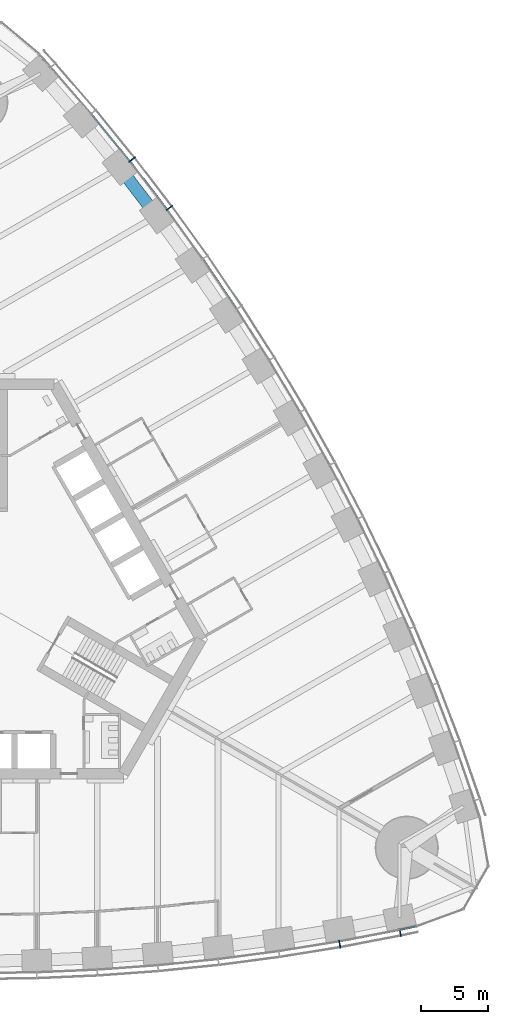
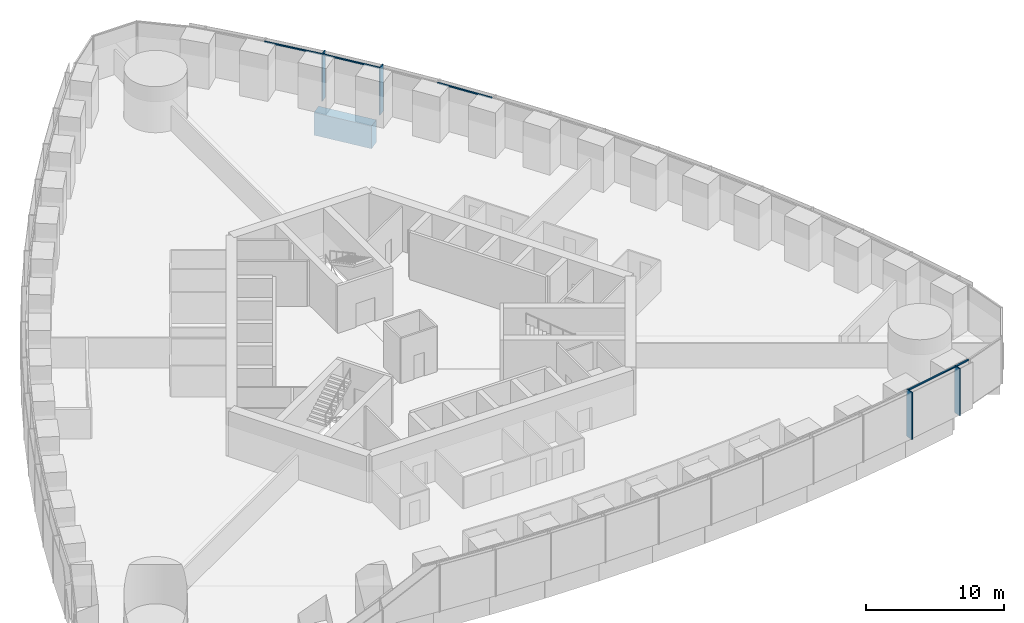
# One storey, part 5 of 18: 9 members, 1 beam, 2 elements without a shape of their own.
"""IFC4 building model written with IfcOpenShell, lengths in metres."""

from ifc_helpers import new_model, si_unit, direction, frame, origin, origin_2d, place, context, subcontext, project, spatial, rectangle, extrude, material, material_profile, profile_set, type_object, element, aggregate, save


model = new_model("IFC4")

# Units and contexts
model_context = context("Model", 3, precision=1e-05, world=origin(), true_north=direction((0.0, 1.0)))
body_context = subcontext(model_context, "Body", "Model", "MODEL_VIEW")
ifc_project = project(units=[si_unit("LENGTHUNIT", "METRE"), si_unit("AREAUNIT", "SQUARE_METRE"), si_unit("VOLUMEUNIT", "CUBIC_METRE"), si_unit("PLANEANGLEUNIT", "RADIAN"), si_unit("MASSUNIT", "GRAM", prefix="KILO")], contexts=[model_context])

# Site, building, storey
site_placement = place(None, origin())
site = spatial("IfcSite", under=ifc_project, at=site_placement, CompositionType="ELEMENT")
building_placement = place(site_placement, origin())
building = spatial("IfcBuilding", under=site, at=building_placement, Name="Trefoil Bronze Tower", CompositionType="ELEMENT")
storey_placement = place(building_placement, frame((0.0, 0.0, 71.10009765625)))
storey = spatial("IfcBuildingStorey", under=building, at=storey_placement, Name="L16", CompositionType="ELEMENT", Elevation=71.10009765625)

# Curtain wall, members
ifc_material_1 = material(Name="Tinted solar-control glass", Category="glass")
curtain_wall_type = type_object("IfcCurtainWallType", Name="Bronze office curtain wall", PredefinedType="USERDEFINED", material=ifc_material_1)
curtain_wall_1_placement = place(storey_placement, origin())
curtain_wall_1 = element("IfcCurtainWall", 1, at=curtain_wall_1_placement, inside=storey, type_object=curtain_wall_type, Name="CW-A L16 F1", ObjectType="CURTAIN WALL", PredefinedType="USERDEFINED")
ifc_material_2 = material(Name="Bronze-finish aluminium", Category="aluminium")
ifc_material_profile_1 = material_profile(ifc_material_2, rectangle(XDim=0.60009765625, YDim=0.080078125, at=origin_2d()), Name="CW-A mullion")
ifc_profile_set_1 = profile_set([ifc_material_profile_1], Name="Bronze-finish aluminium")
member_type_1 = type_object("IfcMemberType", Name="Bronze office curtain wall mullion", PredefinedType="MULLION", material=ifc_profile_set_1)
member_1_placement = place(storey_placement, frame((27.05224609375, -25.67578125, 0.0), z_axis=(0.0, 0.0, 1.0), x_axis=(-0.174131146426, 0.984722470468, 0.0)))
member_1 = element("IfcMember", 2, at=member_1_placement, type_object=member_type_1, Name="CW-A L16 F1 mullion 15", PredefinedType="MULLION", context=body_context, shape_type="SweptSolid", body=[
    extrude(rectangle(XDim=0.60009765625, YDim=0.080078125, at=origin_2d()), origin(), (0.0, 0.0, 1.0), 4.179931640625),
])
member_2_placement = place(storey_placement, frame((31.559326171875, -24.81005859375, 0.0), z_axis=(0.0, 0.0, 1.0), x_axis=(-0.197910006829, 0.98022019424, 0.0)))
member_2 = element("IfcMember", 3, at=member_2_placement, type_object=member_type_1, Name="CW-A L16 F1 mullion 16", PredefinedType="MULLION", context=body_context, shape_type="SweptSolid", body=[
    extrude(rectangle(XDim=0.60009765625, YDim=0.080078125, at=origin_2d()), origin(), (0.0, 0.0, 1.0), 4.179931640625),
])

curtain_wall_2_placement = place(storey_placement, origin())
curtain_wall_2 = element("IfcCurtainWall", 4, at=curtain_wall_2_placement, inside=storey, type_object=curtain_wall_type, Name="CW-A L16 F2", ObjectType="CURTAIN WALL", PredefinedType="USERDEFINED")
member_3_placement = place(storey_placement, frame((14.364013671875, 29.117919921875, 0.0), z_axis=(0.0, 0.0, 1.0), x_axis=(-0.802126748469, -0.59715381552, 0.0)))
member_3 = element("IfcMember", 5, at=member_3_placement, type_object=member_type_1, Name="CW-A L16 F2 mullion 13", PredefinedType="MULLION", context=body_context, shape_type="SweptSolid", body=[
    extrude(rectangle(XDim=0.60009765625, YDim=0.080078125, at=origin_2d()), origin(), (0.0, 0.0, 1.0), 4.179931640625),
])
member_4_placement = place(storey_placement, frame((11.595458984375, 32.7255859375, 0.0), z_axis=(0.0, 0.0, 1.0), x_axis=(-0.784304615744, -0.620375910011, 0.0)))
member_4 = element("IfcMember", 6, at=member_4_placement, type_object=member_type_1, Name="CW-A L16 F2 mullion 14", PredefinedType="MULLION", context=body_context, shape_type="SweptSolid", body=[
    extrude(rectangle(XDim=0.60009765625, YDim=0.080078125, at=origin_2d()), origin(), (0.0, 0.0, 1.0), 4.179931640625),
])

# Member
ifc_material_3 = material(Name="Bronze-finish aluminium", Category="aluminium")
ifc_material_profile_2 = material_profile(ifc_material_3, rectangle(XDim=0.1201171875, YDim=0.10009765625, at=origin_2d()), Name="CW-A transom")
ifc_profile_set_2 = profile_set([ifc_material_profile_2], Name="Bronze-finish aluminium")
member_type_2 = type_object("IfcMemberType", Name="Bronze office curtain wall transom", PredefinedType="USERDEFINED", material=ifc_profile_set_2)
member_5_placement = place(storey_placement, frame((27.05810546875, -25.470947265625, 4.1298828125), z_axis=(0.982053603997, 0.188602011855, 0.0), x_axis=(-0.188602011855, 0.982053603997, 0.0)))
member_5 = element("IfcMember", 7, at=member_5_placement, type_object=member_type_2, Name="CW-A L16 F1 transom 15", ObjectType="TRANSOM", PredefinedType="USERDEFINED", context=body_context, shape_type="SweptSolid", body=[
    extrude(rectangle(XDim=0.1201171875, YDim=0.10009765625, at=origin_2d()), origin(), (0.0, 0.0, 1.0), 4.502197265625),
])

member_6_placement = place(storey_placement, frame((31.559814453125, -24.605712890625, 4.1298828125), z_axis=(0.978266371807, 0.207352129942, 0.0), x_axis=(-0.207352129942, 0.978266371807, 0.0)))
member_6 = element("IfcMember", 8, at=member_6_placement, type_object=member_type_2, Name="CW-A L16 F1 transom 16", ObjectType="TRANSOM", PredefinedType="USERDEFINED", context=body_context, shape_type="SweptSolid", body=[
    extrude(rectangle(XDim=0.1201171875, YDim=0.10009765625, at=origin_2d()), origin(), (0.0, 0.0, 1.0), 1.21044921875),
])

aggregate(curtain_wall_1, [member_1, member_2, member_5, member_6])

member_7_placement = place(storey_placement, frame((19.364990234375, 21.627197265625, 4.1298828125), z_axis=(-0.561508153923, 0.827471203775, 0.0), x_axis=(-0.827471203775, -0.561508153923, 0.0)))
member_7 = element("IfcMember", 9, at=member_7_placement, type_object=member_type_2, Name="CW-A L16 F2 transom 11", ObjectType="TRANSOM", PredefinedType="USERDEFINED", context=body_context, shape_type="SweptSolid", body=[
    extrude(rectangle(XDim=0.1201171875, YDim=0.10009765625, at=origin_2d()), origin(), (0.0, 0.0, 1.0), 4.431884765625),
])

member_8_placement = place(storey_placement, frame((14.178466796875, 29.031494140625, 4.1298828125), z_axis=(-0.608829203216, 0.793301330713, 0.0), x_axis=(-0.793301330713, -0.608829203216, 0.0)))
member_8 = element("IfcMember", 10, at=member_8_placement, type_object=member_type_2, Name="CW-A L16 F2 transom 13", ObjectType="TRANSOM", PredefinedType="USERDEFINED", context=body_context, shape_type="SweptSolid", body=[
    extrude(rectangle(XDim=0.1201171875, YDim=0.10009765625, at=origin_2d()), origin(), (0.0, 0.0, 1.0), 4.458740234375),
])

member_9_placement = place(storey_placement, frame((11.412353515625, 32.6337890625, 4.1298828125), z_axis=(-0.631835540201, 0.775102477185, 0.0), x_axis=(-0.775102477185, -0.631835540201, 0.0)))
member_9 = element("IfcMember", 11, at=member_9_placement, type_object=member_type_2, Name="CW-A L16 F2 transom 14", ObjectType="TRANSOM", PredefinedType="USERDEFINED", context=body_context, shape_type="SweptSolid", body=[
    extrude(rectangle(XDim=0.1201171875, YDim=0.10009765625, at=origin_2d()), origin(), (0.0, 0.0, 1.0), 4.478271484375),
])

aggregate(curtain_wall_2, [member_3, member_4, member_7, member_8, member_9])

# Beam
ifc_material_4 = material(Name="Concrete B80", Category="concrete")
ifc_material_profile_3 = material_profile(ifc_material_4, rectangle(XDim=0.89990234375, YDim=2.0, at=origin_2d()), Name="RC 900x2000")
ifc_profile_set_3 = profile_set([ifc_material_profile_3], Name="Concrete B80")
beam_type = type_object("IfcBeamType", Name="Spandrel beam RC 900x2000", PredefinedType="SPANDREL", material=ifc_profile_set_3)
beam_placement = place(storey_placement, frame((13.42578125, 28.5361328125, -1.2001953125), z_axis=(-0.609338992146, 0.792909826305, 0.0), x_axis=(-0.792909826305, -0.609338992146, 0.0)))
element("IfcBeam", 12, at=beam_placement, inside=storey, type_object=beam_type, Name="Spandrel F2.13 L16", PredefinedType="SPANDREL", context=body_context, shape_type="SweptSolid", body=[
    extrude(rectangle(XDim=0.89990234375, YDim=2.0, at=origin_2d()), origin(), (0.0, 0.0, 1.0), 4.5390625),
])

save(model, "model.ifc")
